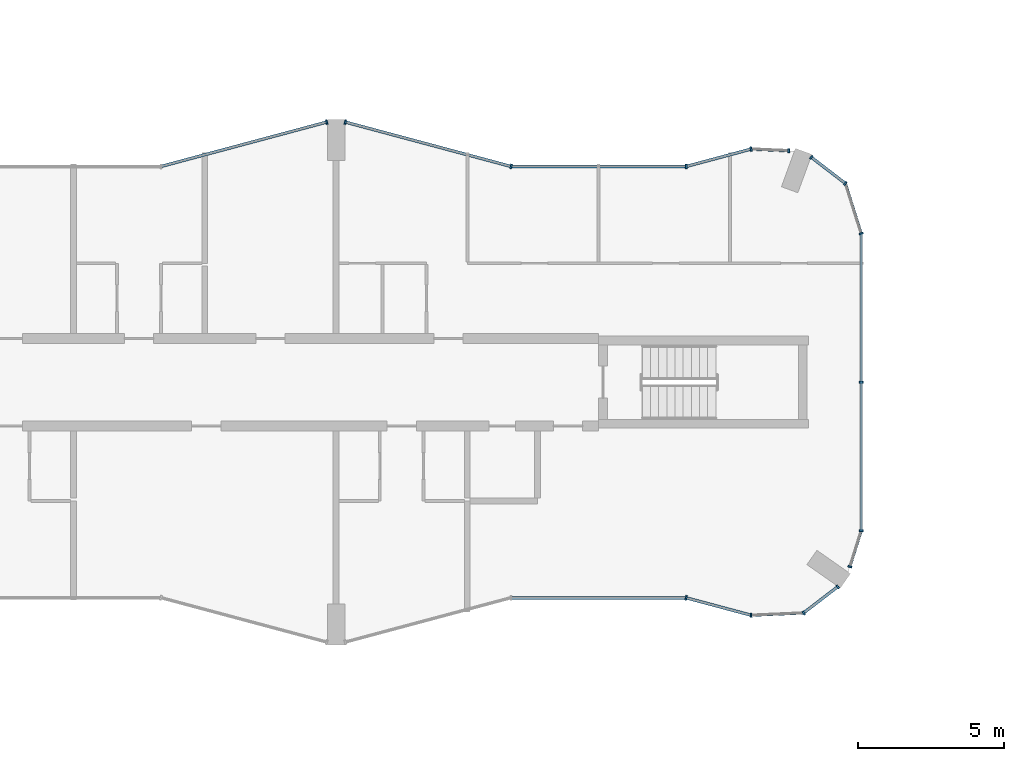
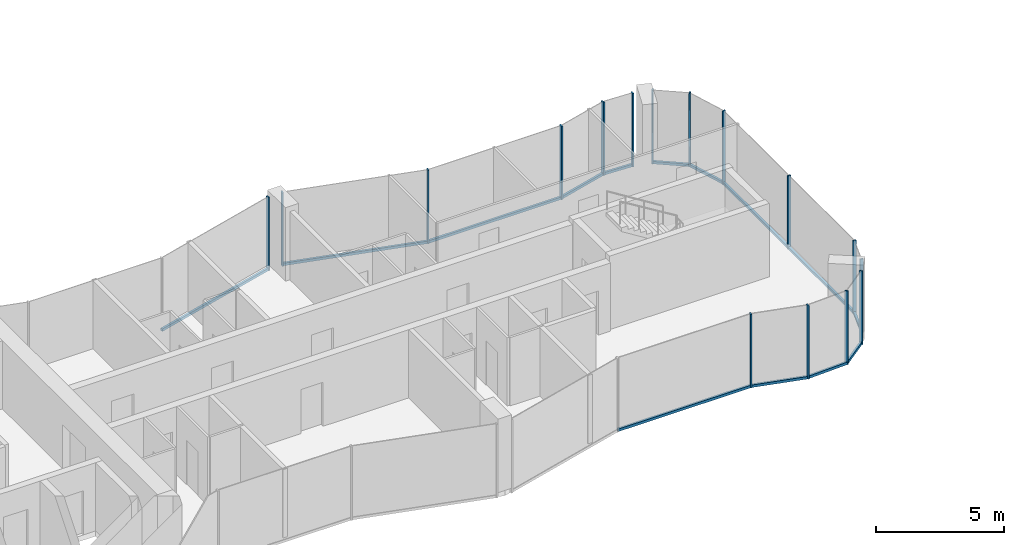
# One storey, part 5 of 22: 29 members, 13 elements without a shape of their own.
"""IFC4 building model written with IfcOpenShell, lengths in metres."""

from ifc_helpers import new_model, si_unit, direction, frame, origin, origin_2d, place, context, subcontext, project, spatial, rectangle, extrude, material, layer, layer_set, material_profile, profile_set, type_object, element, aggregate, save


model = new_model("IFC4")

# Units and contexts
model_context = context("Model", 3, precision=1e-05, world=origin(), true_north=direction((0.0, 1.0)))
body_context = subcontext(model_context, "Body", "Model", "MODEL_VIEW")
ifc_project = project(units=[si_unit("LENGTHUNIT", "METRE"), si_unit("AREAUNIT", "SQUARE_METRE"), si_unit("VOLUMEUNIT", "CUBIC_METRE"), si_unit("PLANEANGLEUNIT", "RADIAN"), si_unit("MASSUNIT", "GRAM", prefix="KILO")], contexts=[model_context])

# Site, building, storey
site_placement = place(None, origin())
site = spatial("IfcSite", under=ifc_project, at=site_placement, CompositionType="ELEMENT")
building_placement = place(site_placement, origin())
building = spatial("IfcBuilding", under=site, at=building_placement, Name="Plateau Cross Towers", CompositionType="ELEMENT")
storey_placement = place(building_placement, frame((0.0, 0.0, 61.800048828125)))
storey = spatial("IfcBuildingStorey", under=building, at=storey_placement, Name="L15", CompositionType="ELEMENT", Elevation=61.800048828125)

# Curtain wall, member
ifc_material_1 = material(Name="Dark low-iron glass", Category="glass")
ifc_layer_1 = layer(ifc_material_1, 0.239990234375)
ifc_layer_set_1 = layer_set([ifc_layer_1], Name="Dark low-iron glass")
curtain_wall_type_1 = type_object("IfcCurtainWallType", Name="Curtain wall flush unitised CW-B", PredefinedType="NOTDEFINED", material=ifc_layer_set_1)
curtain_wall_1_placement = place(storey_placement, origin())
curtain_wall_1 = element("IfcCurtainWall", 1, at=curtain_wall_1_placement, inside=storey, type_object=curtain_wall_type_1, Name="ENV/A/L15/A502_10", PredefinedType="NOTDEFINED")
ifc_material_2 = material(Name="Black anodised aluminium", Category="aluminium")
ifc_material_profile_1 = material_profile(ifc_material_2, rectangle(XDim=0.06005859375, YDim=0.139892578125, at=origin_2d()), Name="MULLION 60x140")
ifc_profile_set_1 = profile_set([ifc_material_profile_1], Name="Black anodised aluminium")
member_type_1 = type_object("IfcMemberType", Name="Mullion 60x140 flush unitised", PredefinedType="MULLION", material=ifc_profile_set_1)
member_1_placement = place(storey_placement, frame((50.223876953125, 1.01123046875, -0.25), z_axis=(0.0, 0.0, 1.0), x_axis=(0.999043701491, 0.043722791671, 0.0)))
member_1 = element("IfcMember", 2, at=member_1_placement, type_object=member_type_1, Name="CW-B mullion 1", PredefinedType="MULLION", context=body_context, shape_type="SweptSolid", body=[
    extrude(rectangle(XDim=0.06005859375, YDim=0.139892578125, at=origin_2d()), origin(), (0.0, 0.0, 1.0), 3.5),
])

# Curtain wall, members
curtain_wall_2_placement = place(storey_placement, origin())
curtain_wall_2 = element("IfcCurtainWall", 3, at=curtain_wall_2_placement, inside=storey, type_object=curtain_wall_type_1, Name="ENV/A/L15/A520_11", PredefinedType="NOTDEFINED")
member_2_placement = place(storey_placement, frame((52.0263671875, 1.090087890625, -0.25), z_axis=(0.0, 0.0, 1.0), x_axis=(0.793315514529, 0.608810721331, 0.0)))
member_2 = element("IfcMember", 4, at=member_2_placement, type_object=member_type_1, Name="CW-B mullion 1", PredefinedType="MULLION", context=body_context, shape_type="SweptSolid", body=[
    extrude(rectangle(XDim=0.06005859375, YDim=0.139892578125, at=origin_2d()), origin(), (0.0, 0.0, 1.0), 3.5),
])
member_3_placement = place(storey_placement, frame((53.193603515625, 1.986083984375, -0.25), z_axis=(0.0, 0.0, 1.0), x_axis=(0.793315514529, 0.608810721331, 0.0)))
member_3 = element("IfcMember", 5, at=member_3_placement, type_object=member_type_1, Name="CW-B mullion 2", PredefinedType="MULLION", context=body_context, shape_type="SweptSolid", body=[
    extrude(rectangle(XDim=0.06005859375, YDim=0.139892578125, at=origin_2d()), origin(), (0.0, 0.0, 1.0), 3.5),
])

# Curtain wall, member
curtain_wall_3_placement = place(storey_placement, origin())
curtain_wall_3 = element("IfcCurtainWall", 6, at=curtain_wall_3_placement, inside=storey, type_object=curtain_wall_type_1, Name="ENV/A/L15/A536_27", PredefinedType="NOTDEFINED")
member_4_placement = place(storey_placement, frame((53.611083984375, 2.67529296875, -0.25), z_axis=(0.0, 0.0, 1.0), x_axis=(0.300686174994, 0.95372313811, 0.0)))
member_4 = element("IfcMember", 7, at=member_4_placement, type_object=member_type_1, Name="CW-B mullion 1", PredefinedType="MULLION", context=body_context, shape_type="SweptSolid", body=[
    extrude(rectangle(XDim=0.06005859375, YDim=0.139892578125, at=origin_2d()), origin(), (0.0, 0.0, 1.0), 3.5),
])

# Curtain wall, members
curtain_wall_4_placement = place(storey_placement, origin())
curtain_wall_4 = element("IfcCurtainWall", 8, at=curtain_wall_4_placement, inside=storey, type_object=curtain_wall_type_1, Name="ENV/A/L15/A540_39", PredefinedType="NOTDEFINED")
member_5_placement = place(storey_placement, frame((54.0, 3.9091796875, -0.25), z_axis=(0.0, 0.0, 1.0), x_axis=(0.0, 1.0, 0.0)))
member_5 = element("IfcMember", 9, at=member_5_placement, type_object=member_type_1, Name="CW-B mullion 1", PredefinedType="MULLION", context=body_context, shape_type="SweptSolid", body=[
    extrude(rectangle(XDim=0.06005859375, YDim=0.139892578125, at=origin_2d()), origin(), (0.0, 0.0, 1.0), 3.5),
])
member_6_placement = place(storey_placement, frame((54.0, 9.0, -0.25), z_axis=(0.0, 0.0, 1.0), x_axis=(0.0, 1.0, 0.0)))
member_6 = element("IfcMember", 10, at=member_6_placement, type_object=member_type_1, Name="CW-B mullion 2", PredefinedType="MULLION", context=body_context, shape_type="SweptSolid", body=[
    extrude(rectangle(XDim=0.06005859375, YDim=0.139892578125, at=origin_2d()), origin(), (0.0, 0.0, 1.0), 3.5),
])

# Curtain wall, member
curtain_wall_5_placement = place(storey_placement, origin())
curtain_wall_5 = element("IfcCurtainWall", 11, at=curtain_wall_5_placement, inside=storey, type_object=curtain_wall_type_1, Name="ENV/A/L15/A540_141", PredefinedType="NOTDEFINED")
member_7_placement = place(storey_placement, frame((54.0, 14.0908203125, -0.25), z_axis=(0.0, 0.0, 1.0), x_axis=(-0.300686174994, 0.95372313811, 0.0)))
member_7 = element("IfcMember", 12, at=member_7_placement, type_object=member_type_1, Name="CW-B mullion 1", PredefinedType="MULLION", context=body_context, shape_type="SweptSolid", body=[
    extrude(rectangle(XDim=0.06005859375, YDim=0.139892578125, at=origin_2d()), origin(), (0.0, 0.0, 1.0), 3.5),
])

# Curtain wall, members
curtain_wall_6_placement = place(storey_placement, origin())
curtain_wall_6 = element("IfcCurtainWall", 13, at=curtain_wall_6_placement, inside=storey, type_object=curtain_wall_type_1, Name="ENV/A/L15/A535_158", PredefinedType="NOTDEFINED")
member_8_placement = place(storey_placement, frame((53.45751953125, 15.8115234375, -0.25), z_axis=(0.0, 0.0, 1.0), x_axis=(-0.793315514529, 0.608810721331, 0.0)))
member_8 = element("IfcMember", 14, at=member_8_placement, type_object=member_type_1, Name="CW-B mullion 1", PredefinedType="MULLION", context=body_context, shape_type="SweptSolid", body=[
    extrude(rectangle(XDim=0.06005859375, YDim=0.139892578125, at=origin_2d()), origin(), (0.0, 0.0, 1.0), 3.5),
])
member_9_placement = place(storey_placement, frame((52.290283203125, 16.707275390625, -0.25), z_axis=(0.0, 0.0, 1.0), x_axis=(-0.793315514529, 0.608810721331, 0.0)))
member_9 = element("IfcMember", 15, at=member_9_placement, type_object=member_type_1, Name="CW-B mullion 2", PredefinedType="MULLION", context=body_context, shape_type="SweptSolid", body=[
    extrude(rectangle(XDim=0.06005859375, YDim=0.139892578125, at=origin_2d()), origin(), (0.0, 0.0, 1.0), 3.5),
])

# Curtain wall, member
curtain_wall_7_placement = place(storey_placement, origin())
curtain_wall_7 = element("IfcCurtainWall", 16, at=curtain_wall_7_placement, inside=storey, type_object=curtain_wall_type_1, Name="ENV/A/L15/A515_169", PredefinedType="NOTDEFINED")
member_10_placement = place(storey_placement, frame((51.516357421875, 16.93212890625, -0.25), z_axis=(0.0, 0.0, 1.0), x_axis=(-0.999043701491, 0.043722791671, 0.0)))
member_10 = element("IfcMember", 17, at=member_10_placement, type_object=member_type_1, Name="CW-B mullion 1", PredefinedType="MULLION", context=body_context, shape_type="SweptSolid", body=[
    extrude(rectangle(XDim=0.06005859375, YDim=0.139892578125, at=origin_2d()), origin(), (0.0, 0.0, 1.0), 3.5),
])

ifc_layer_2 = layer(ifc_material_1, 0.260009765625)
ifc_layer_set_2 = layer_set([ifc_layer_2], Name="Dark low-iron glass")
curtain_wall_type_2 = type_object("IfcCurtainWallType", Name="Curtain wall fluted unitised CW-A", PredefinedType="NOTDEFINED", material=ifc_layer_set_2)
curtain_wall_8_placement = place(storey_placement, origin())
curtain_wall_8 = element("IfcCurtainWall", 18, at=curtain_wall_8_placement, inside=storey, type_object=curtain_wall_type_2, Name="ENV/A/L15/A480_16", PredefinedType="NOTDEFINED")
ifc_material_profile_2 = material_profile(ifc_material_2, rectangle(XDim=0.06005859375, YDim=0.159912109375, at=origin_2d()), Name="MULLION 60x160")
ifc_profile_set_2 = profile_set([ifc_material_profile_2], Name="Black anodised aluminium")
member_type_2 = type_object("IfcMemberType", Name="Mullion 60x160 fluted unitised", PredefinedType="MULLION", material=ifc_profile_set_2)
member_11_placement = place(storey_placement, frame((48.0, 1.60693359375, -0.25), z_axis=(0.0, 0.0, 1.0), x_axis=(0.965957962328, -0.258699081978, 0.0)))
member_11 = element("IfcMember", 19, at=member_11_placement, type_object=member_type_2, Name="CW-A mullion 1", PredefinedType="MULLION", context=body_context, shape_type="SweptSolid", body=[
    extrude(rectangle(XDim=0.06005859375, YDim=0.159912109375, at=origin_2d()), origin(), (0.0, 0.0, 1.0), 3.5),
])

curtain_wall_9_placement = place(storey_placement, origin())
curtain_wall_9 = element("IfcCurtainWall", 20, at=curtain_wall_9_placement, inside=storey, type_object=curtain_wall_type_2, Name="ENV/A/L15/A502_170", PredefinedType="NOTDEFINED")
member_12_placement = place(storey_placement, frame((50.223876953125, 16.98876953125, -0.25), z_axis=(0.0, 0.0, 1.0), x_axis=(-0.965957962328, -0.258699081978, 0.0)))
member_12 = element("IfcMember", 21, at=member_12_placement, type_object=member_type_2, Name="CW-A mullion 1", PredefinedType="MULLION", context=body_context, shape_type="SweptSolid", body=[
    extrude(rectangle(XDim=0.06005859375, YDim=0.159912109375, at=origin_2d()), origin(), (0.0, 0.0, 1.0), 3.5),
])

curtain_wall_10_placement = place(storey_placement, origin())
curtain_wall_10 = element("IfcCurtainWall", 22, at=curtain_wall_10_placement, inside=storey, type_object=curtain_wall_type_2, Name="ENV/A/L15/A480_164", PredefinedType="NOTDEFINED")
member_13_placement = place(storey_placement, frame((48.0, 16.39306640625, -0.25), z_axis=(0.0, 0.0, 1.0), x_axis=(-1.0, 0.0, 0.0)))
member_13 = element("IfcMember", 23, at=member_13_placement, type_object=member_type_2, Name="CW-A mullion 1", PredefinedType="MULLION", context=body_context, shape_type="SweptSolid", body=[
    extrude(rectangle(XDim=0.06005859375, YDim=0.159912109375, at=origin_2d()), origin(), (0.0, 0.0, 1.0), 3.5),
])

# Curtain wall, members
curtain_wall_11_placement = place(storey_placement, origin())
curtain_wall_11 = element("IfcCurtainWall", 24, at=curtain_wall_11_placement, inside=storey, type_object=curtain_wall_type_2, Name="ENV/A/L15/A420_164", PredefinedType="NOTDEFINED")
member_14_placement = place(storey_placement, frame((42.0, 16.39306640625, -0.25), z_axis=(0.0, 0.0, 1.0), x_axis=(-0.965957983404, 0.258699003279, 0.0)))
member_14 = element("IfcMember", 25, at=member_14_placement, type_object=member_type_2, Name="CW-A mullion 1", PredefinedType="MULLION", context=body_context, shape_type="SweptSolid", body=[
    extrude(rectangle(XDim=0.06005859375, YDim=0.159912109375, at=origin_2d()), origin(), (0.0, 0.0, 1.0), 3.5),
])
member_15_placement = place(storey_placement, frame((36.31787109375, 17.914794921875, -0.25), z_axis=(0.0, 0.0, 1.0), x_axis=(-0.965957983404, 0.258699003279, 0.0)))
member_15 = element("IfcMember", 26, at=member_15_placement, type_object=member_type_2, Name="CW-A mullion 2", PredefinedType="MULLION", context=body_context, shape_type="SweptSolid", body=[
    extrude(rectangle(XDim=0.06005859375, YDim=0.159912109375, at=origin_2d()), origin(), (0.0, 0.0, 1.0), 3.5),
])

# Curtain wall, member
curtain_wall_12_placement = place(storey_placement, origin())
curtain_wall_12 = element("IfcCurtainWall", 27, at=curtain_wall_12_placement, inside=storey, type_object=curtain_wall_type_2, Name="ENV/A/L15/A357_179", PredefinedType="NOTDEFINED")
member_16_placement = place(storey_placement, frame((35.68212890625, 17.914794921875, -0.25), z_axis=(0.0, 0.0, 1.0), x_axis=(-0.965957983404, -0.258699003279, 0.0)))
member_16 = element("IfcMember", 28, at=member_16_placement, type_object=member_type_2, Name="CW-A mullion 1", PredefinedType="MULLION", context=body_context, shape_type="SweptSolid", body=[
    extrude(rectangle(XDim=0.06005859375, YDim=0.159912109375, at=origin_2d()), origin(), (0.0, 0.0, 1.0), 3.5),
])

# Member
ifc_material_profile_3 = material_profile(ifc_material_2, rectangle(XDim=0.10009765625, YDim=0.1201171875, at=origin_2d()), Name="TRANSOM 100x120")
ifc_profile_set_3 = profile_set([ifc_material_profile_3], Name="Black anodised aluminium")
member_type_3 = type_object("IfcMemberType", Name="Transom 100x120 flush unitised", PredefinedType="USERDEFINED", material=ifc_profile_set_3)
member_17_placement = place(storey_placement, frame((50.223876953125, 1.01123046875, -0.18994140625), z_axis=(0.999044377355, 0.043707345779, 0.0), x_axis=(-0.043707345779, 0.999044377355, 0.0)))
member_17 = element("IfcMember", 29, at=member_17_placement, type_object=member_type_3, Name="CW-B transom", ObjectType="TRANSOM", PredefinedType="USERDEFINED", context=body_context, shape_type="SweptSolid", body=[
    extrude(rectangle(XDim=0.10009765625, YDim=0.1201171875, at=origin_2d()), origin(), (0.0, 0.0, 1.0), 1.80419921875),
])

aggregate(curtain_wall_1, [member_1, member_17])

member_18_placement = place(storey_placement, frame((52.0263671875, 1.090087890625, -0.18994140625), z_axis=(0.793240368515, 0.608908628415, 0.0), x_axis=(-0.608908628415, 0.793240368515, 0.0)))
member_18 = element("IfcMember", 30, at=member_18_placement, type_object=member_type_3, Name="CW-B transom", ObjectType="TRANSOM", PredefinedType="USERDEFINED", context=body_context, shape_type="SweptSolid", body=[
    extrude(rectangle(XDim=0.10009765625, YDim=0.1201171875, at=origin_2d()), origin(), (0.0, 0.0, 1.0), 1.471435546875),
])

aggregate(curtain_wall_2, [member_2, member_3, member_18])

member_19_placement = place(storey_placement, frame((53.611083984375, 2.67529296875, -0.18994140625), z_axis=(0.300616528216, 0.953745093284, 0.0), x_axis=(-0.953745093284, 0.300616528216, 0.0)))
member_19 = element("IfcMember", 31, at=member_19_placement, type_object=member_type_3, Name="CW-B transom", ObjectType="TRANSOM", PredefinedType="USERDEFINED", context=body_context, shape_type="SweptSolid", body=[
    extrude(rectangle(XDim=0.10009765625, YDim=0.1201171875, at=origin_2d()), origin(), (0.0, 0.0, 1.0), 1.293701171875),
])

aggregate(curtain_wall_3, [member_4, member_19])

member_20_placement = place(storey_placement, frame((54.0, 3.9091796875, -0.18994140625), z_axis=(0.0, 1.0, 0.0), x_axis=(-1.0, 0.0, 0.0)))
member_20 = element("IfcMember", 32, at=member_20_placement, type_object=member_type_3, Name="CW-B transom", ObjectType="TRANSOM", PredefinedType="USERDEFINED", context=body_context, shape_type="SweptSolid", body=[
    extrude(rectangle(XDim=0.10009765625, YDim=0.1201171875, at=origin_2d()), origin(), (0.0, 0.0, 1.0), 10.181640625),
])

aggregate(curtain_wall_4, [member_5, member_6, member_20])

member_21_placement = place(storey_placement, frame((54.0, 14.0908203125, -0.18994140625), z_axis=(-0.30067799945, 0.953725715626, 0.0), x_axis=(-0.953725715626, -0.30067799945, 0.0)))
member_21 = element("IfcMember", 33, at=member_21_placement, type_object=member_type_3, Name="CW-B transom", ObjectType="TRANSOM", PredefinedType="USERDEFINED", context=body_context, shape_type="SweptSolid", body=[
    extrude(rectangle(XDim=0.10009765625, YDim=0.1201171875, at=origin_2d()), origin(), (0.0, 0.0, 1.0), 1.80419921875),
])

aggregate(curtain_wall_5, [member_7, member_21])

member_22_placement = place(storey_placement, frame((53.45751953125, 15.8115234375, -0.18994140625), z_axis=(-0.793320508571, 0.608804213751, 0.0), x_axis=(-0.608804213751, -0.793320508571, 0.0)))
member_22 = element("IfcMember", 34, at=member_22_placement, type_object=member_type_3, Name="CW-B transom", ObjectType="TRANSOM", PredefinedType="USERDEFINED", context=body_context, shape_type="SweptSolid", body=[
    extrude(rectangle(XDim=0.10009765625, YDim=0.1201171875, at=origin_2d()), origin(), (0.0, 0.0, 1.0), 1.471435546875),
])

aggregate(curtain_wall_6, [member_8, member_9, member_22])

member_23_placement = place(storey_placement, frame((51.516357421875, 16.93212890625, -0.18994140625), z_axis=(-0.999041144614, 0.043781175963, 0.0), x_axis=(-0.043781175963, -0.999041144614, 0.0)))
member_23 = element("IfcMember", 35, at=member_23_placement, type_object=member_type_3, Name="CW-B transom", ObjectType="TRANSOM", PredefinedType="USERDEFINED", context=body_context, shape_type="SweptSolid", body=[
    extrude(rectangle(XDim=0.10009765625, YDim=0.1201171875, at=origin_2d()), origin(), (0.0, 0.0, 1.0), 1.293701171875),
])

aggregate(curtain_wall_7, [member_10, member_23])

# Curtain wall, member
curtain_wall_13_placement = place(storey_placement, origin())
curtain_wall_13 = element("IfcCurtainWall", 36, at=curtain_wall_13_placement, inside=storey, type_object=curtain_wall_type_2, Name="ENV/A/L15/A420_16", PredefinedType="NOTDEFINED")
ifc_material_profile_4 = material_profile(ifc_material_2, rectangle(XDim=0.10009765625, YDim=0.1201171875, at=origin_2d()), Name="TRANSOM 100x120")
ifc_profile_set_4 = profile_set([ifc_material_profile_4], Name="Black anodised aluminium")
member_type_4 = type_object("IfcMemberType", Name="Transom 100x120 fluted unitised", PredefinedType="USERDEFINED", material=ifc_profile_set_4)
member_24_placement = place(storey_placement, frame((42.0, 1.60693359375, -0.18994140625), z_axis=(1.0, 0.0, 0.0), x_axis=(0.0, 1.0, 0.0)))
member_24 = element("IfcMember", 37, at=member_24_placement, type_object=member_type_4, Name="CW-A transom", ObjectType="TRANSOM", PredefinedType="USERDEFINED", context=body_context, shape_type="SweptSolid", body=[
    extrude(rectangle(XDim=0.10009765625, YDim=0.1201171875, at=origin_2d()), origin(), (0.0, 0.0, 1.0), 6.0),
])
aggregate(curtain_wall_13, [member_24])

# Member
member_25_placement = place(storey_placement, frame((48.0, 1.60693359375, -0.18994140625), z_axis=(0.965945685136, -0.258744919501, 0.0), x_axis=(0.258744919501, 0.965945685136, 0.0)))
member_25 = element("IfcMember", 38, at=member_25_placement, type_object=member_type_4, Name="CW-A transom", ObjectType="TRANSOM", PredefinedType="USERDEFINED", context=body_context, shape_type="SweptSolid", body=[
    extrude(rectangle(XDim=0.10009765625, YDim=0.1201171875, at=origin_2d()), origin(), (0.0, 0.0, 1.0), 2.30224609375),
])

aggregate(curtain_wall_8, [member_11, member_25])

member_26_placement = place(storey_placement, frame((50.223876953125, 16.98876953125, -0.18994140625), z_axis=(-0.965945685136, -0.258744919501, 0.0), x_axis=(0.258744919501, -0.965945685136, 0.0)))
member_26 = element("IfcMember", 39, at=member_26_placement, type_object=member_type_4, Name="CW-A transom", ObjectType="TRANSOM", PredefinedType="USERDEFINED", context=body_context, shape_type="SweptSolid", body=[
    extrude(rectangle(XDim=0.10009765625, YDim=0.1201171875, at=origin_2d()), origin(), (0.0, 0.0, 1.0), 2.30224609375),
])

aggregate(curtain_wall_9, [member_12, member_26])

member_27_placement = place(storey_placement, frame((48.0, 16.39306640625, -0.18994140625), z_axis=(-1.0, 0.0, 0.0), x_axis=(0.0, -1.0, 0.0)))
member_27 = element("IfcMember", 40, at=member_27_placement, type_object=member_type_4, Name="CW-A transom", ObjectType="TRANSOM", PredefinedType="USERDEFINED", context=body_context, shape_type="SweptSolid", body=[
    extrude(rectangle(XDim=0.10009765625, YDim=0.1201171875, at=origin_2d()), origin(), (0.0, 0.0, 1.0), 6.0),
])

aggregate(curtain_wall_10, [member_13, member_27])

member_28_placement = place(storey_placement, frame((42.0, 16.39306640625, -0.18994140625), z_axis=(-0.965959534794, 0.258693210465, 0.0), x_axis=(-0.258693210465, -0.965959534794, 0.0)))
member_28 = element("IfcMember", 41, at=member_28_placement, type_object=member_type_4, Name="CW-A transom", ObjectType="TRANSOM", PredefinedType="USERDEFINED", context=body_context, shape_type="SweptSolid", body=[
    extrude(rectangle(XDim=0.10009765625, YDim=0.1201171875, at=origin_2d()), origin(), (0.0, 0.0, 1.0), 5.88232421875),
])

aggregate(curtain_wall_11, [member_14, member_15, member_28])

member_29_placement = place(storey_placement, frame((35.68212890625, 17.914794921875, -0.18994140625), z_axis=(-0.965959534794, -0.258693210465, 0.0), x_axis=(0.258693210465, -0.965959534794, 0.0)))
member_29 = element("IfcMember", 42, at=member_29_placement, type_object=member_type_4, Name="CW-A transom", ObjectType="TRANSOM", PredefinedType="USERDEFINED", context=body_context, shape_type="SweptSolid", body=[
    extrude(rectangle(XDim=0.10009765625, YDim=0.1201171875, at=origin_2d()), origin(), (0.0, 0.0, 1.0), 5.88232421875),
])

aggregate(curtain_wall_12, [member_16, member_29])

save(model, "model.ifc")
